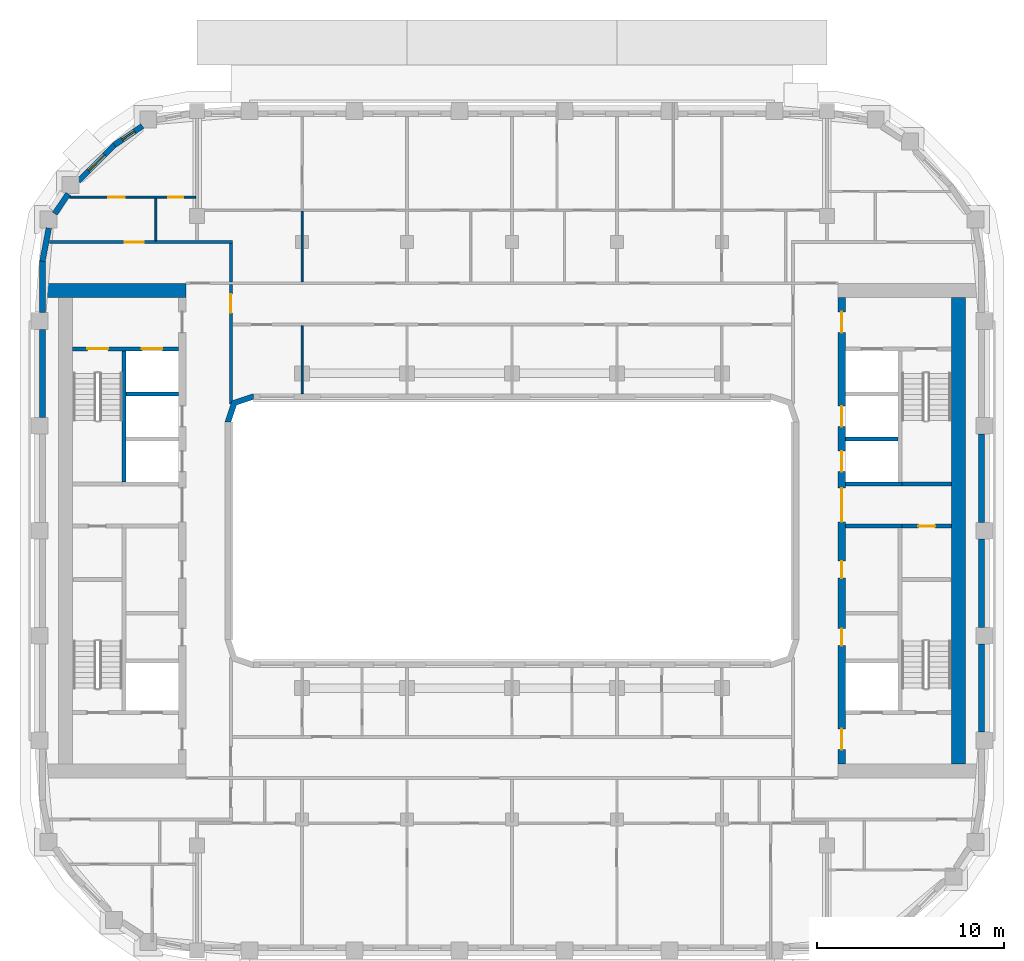
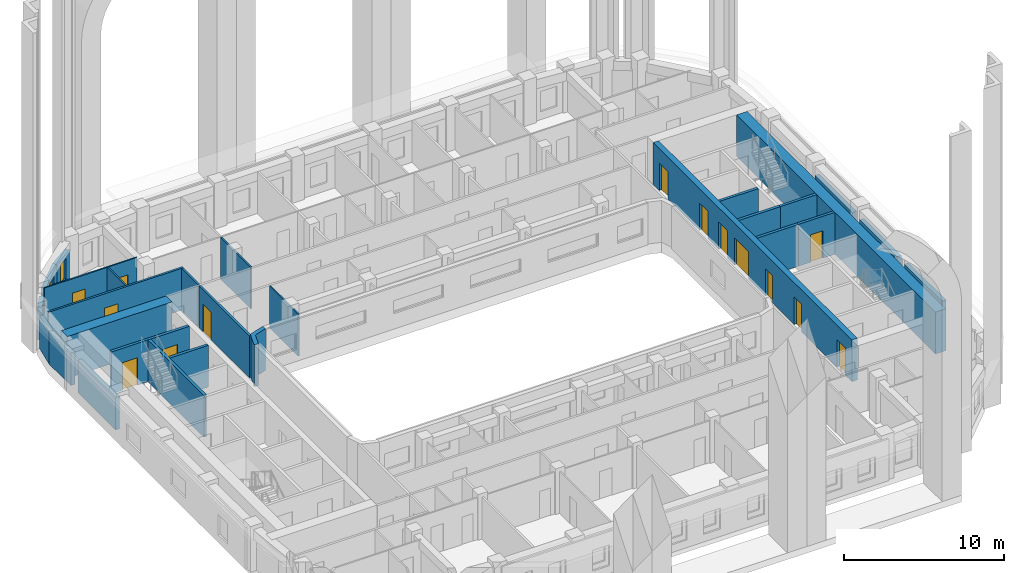
# One storey, part 6 of 20: 28 walls, 14 doors, 2 windows, 16 openings.
"""IFC4 building model written with IfcOpenShell, lengths in metres."""

from ifc_helpers import new_model, si_unit, direction, frame, frame_2d, origin, place, context, subcontext, project, spatial, polyline, rectangle, outline, extrude, material, layer, layer_set, type_object, element, fill, save


model = new_model("IFC4")

# Units and contexts
model_context = context("Model", 3, precision=1e-05, world=origin(), true_north=direction((0.0, 1.0)))
body_context = subcontext(model_context, "Body", "Model", "MODEL_VIEW")
ifc_project = project(units=[si_unit("LENGTHUNIT", "METRE"), si_unit("AREAUNIT", "SQUARE_METRE"), si_unit("VOLUMEUNIT", "CUBIC_METRE"), si_unit("PLANEANGLEUNIT", "RADIAN"), si_unit("MASSUNIT", "GRAM", prefix="KILO")], contexts=[model_context])

# Site, building, storey
site_placement = place(None, origin())
site = spatial("IfcSite", under=ifc_project, at=site_placement, CompositionType="ELEMENT")
building_placement = place(site_placement, origin())
building = spatial("IfcBuilding", under=site, at=building_placement, Name="Kiln Ring Residences", CompositionType="ELEMENT")
storey_placement = place(building_placement, frame((0.0, 0.0, 188.89990234375)))
storey = spatial("IfcBuildingStorey", under=building, at=storey_placement, Name="L48", CompositionType="ELEMENT", Elevation=188.89990234375)

# Wall, opening, door
ifc_material_1 = material(Name="Gypsum board on steel studs", Category="steel")
ifc_layer_1 = layer(ifc_material_1, 0.199951171875)
ifc_layer_set_1 = layer_set([ifc_layer_1], Name="CORE-PARTITION-200")
wall_type_1 = type_object("IfcWallType", Name="CORE-PARTITION-200", PredefinedType="PARTITIONING", material=ifc_layer_set_1)
wall_1_placement = place(storey_placement, frame((20.800048828125, 0.25, 0.0), z_axis=(0.0, 0.0, 1.0), x_axis=(1.0, 0.0, 0.0)))
wall_1 = element("IfcWall", 1, at=wall_1_placement, inside=storey, type_object=wall_type_1, Name="Core partition east L48 1", PredefinedType="PARTITIONING", context=body_context, shape_type="SweptSolid", body=[
    extrude(rectangle(XDim=2.64990234375, YDim=0.199951171875, at=frame_2d((1.324951171875, 0.0))), origin(), (0.0, 0.0, 1.0), 3.2001953125),
])
opening_1_placement = place(wall_1_placement, frame((0.875, 0.0, 0.0)))
opening_1 = element("IfcOpeningElement", 2, at=opening_1_placement, cuts=wall_1, Name="Opening L48-CE12", PredefinedType="OPENING", context=body_context, shape_type="SweptSolid", body=[
    extrude(rectangle(XDim=0.89990234375, YDim=2.10009765625, at=frame_2d((0.449951171875, 1.050048828125))), frame((0.0, 0.10986328125, 0.0), z_axis=(0.0, -1.0, 0.0), x_axis=(1.0, 0.0, 0.0)), (0.0, 0.0, 1.0), 0.219970703125),
])
ifc_material_2 = material(Name="Steel door leaf", Category="steel")
door_type_1 = type_object("IfcDoorType", Name="CORE-DOOR-ROOM", OperationType="SINGLE_SWING_LEFT", PredefinedType="DOOR", material=ifc_material_2)
door_1_placement = place(opening_1_placement, origin())
door_1 = element("IfcDoor", 3, at=door_1_placement, inside=storey, type_object=door_type_1, Name="Electrical riser room L48-CE12", OperationType="SINGLE_SWING_LEFT", OverallHeight=2.10009765625, OverallWidth=0.89990234375, PredefinedType="DOOR", context=body_context, shape_type="SweptSolid", body=[
    extrude(rectangle(XDim=0.89990234375, YDim=2.10009765625, at=frame_2d((0.449951171875, 1.050048828125))), frame((0.0, 0.02490234375, 0.0), z_axis=(0.0, -1.0, 0.0), x_axis=(1.0, 0.0, 0.0)), (0.0, 0.0, 1.0), 0.050048828125),
])
fill(opening_1, door_1)

# Walls
ifc_material_3 = material(Name="Gypsum shaft wall system")
ifc_layer_2 = layer(ifc_material_3, 0.199951171875)
ifc_layer_set_2 = layer_set([ifc_layer_2], Name="CORE-SHAFT-WALL-200")
wall_type_2 = type_object("IfcWallType", Name="CORE-SHAFT-WALL-200", PredefinedType="PARTITIONING", material=ifc_layer_set_2)
wall_2_placement = place(storey_placement, frame((-17.800048828125, 7.300048828125, 0.0), z_axis=(0.0, 0.0, 1.0), x_axis=(-1.0, 0.0, 0.0)))
element("IfcWall", 4, at=wall_2_placement, inside=storey, type_object=wall_type_2, Name="Core partition west L48 7", PredefinedType="PARTITIONING", context=body_context, shape_type="SweptSolid", body=[
    extrude(rectangle(XDim=2.800048828125, YDim=0.199951171875, at=frame_2d((1.39990234375, 0.0))), origin(), (0.0, 0.0, 1.0), 3.2001953125),
])
for number, where, z_axis, x_axis, name in (
    (5, (17.800048828125, 0.25, 0.0), (0.0, 0.0, 1.0), (1.0, 0.0, 0.0), "Core partition east L48 4"),
    (6, (17.800048828125, 2.5, 0.0), (0.0, 0.0, 1.0), (1.0, 0.0, 0.0), "Core partition east L48 5"),
):
    element("IfcWall", number, at=place(storey_placement, frame(where, z_axis=z_axis, x_axis=x_axis)), inside=storey, type_object=wall_type_2, Name=name, PredefinedType="PARTITIONING", context=body_context, shape_type="SweptSolid", body=[
        extrude(rectangle(XDim=3.0, YDim=0.199951171875, at=frame_2d((1.5, 0.0))), origin(), (0.0, 0.0, 1.0), 3.2001953125),
    ])
wall_3_placement = place(storey_placement, frame((17.800048828125, 4.89990234375, 0.0), z_axis=(0.0, 0.0, 1.0), x_axis=(1.0, 0.0, 0.0)))
element("IfcWall", 7, at=wall_3_placement, inside=storey, type_object=wall_type_2, Name="Core partition east L48 6", PredefinedType="PARTITIONING", context=body_context, shape_type="SweptSolid", body=[
    extrude(rectangle(XDim=2.800048828125, YDim=0.199951171875, at=frame_2d((1.39990234375, 0.0))), origin(), (0.0, 0.0, 1.0), 3.2001953125),
])
ifc_material_4 = material(Name="Concrete C40/50", Category="concrete")
ifc_layer_3 = layer(ifc_material_4, 0.199951171875)
ifc_layer_set_3 = layer_set([ifc_layer_3], Name="CORE-WALL-RC200")
wall_type_3 = type_object("IfcWallType", Name="CORE-WALL-RC200", PredefinedType="SHEAR", material=ifc_layer_set_3)
wall_4_placement = place(storey_placement, frame((-20.699951171875, 2.60009765625, 0.0), z_axis=(0.0, 0.0, 1.0), x_axis=(0.0, 1.0, 0.0)))
element("IfcWall", 8, at=wall_4_placement, inside=storey, type_object=wall_type_3, Name="Core wall west L48 1", PredefinedType="SHEAR", context=body_context, shape_type="SweptSolid", body=[
    extrude(rectangle(XDim=7.0, YDim=0.199951171875, at=frame_2d((3.5, 0.0))), origin(), (0.0, 0.0, 1.0), 3.2001953125),
])

# Wall, openings, doors
wall_5_placement = place(storey_placement, frame((-17.800048828125, 9.699951171875, 0.0), z_axis=(0.0, 0.0, 1.0), x_axis=(-1.0, 0.0, 0.0)))
wall_5 = element("IfcWall", 9, at=wall_5_placement, inside=storey, type_object=wall_type_3, Name="Core wall west L48 9", PredefinedType="SHEAR", context=body_context, shape_type="SweptSolid", body=[
    extrude(rectangle(XDim=5.64990234375, YDim=0.199951171875, at=frame_2d((2.824951171875, 0.0))), origin(), (0.0, 0.0, 1.0), 3.2001953125),
])
opening_2_placement = place(wall_5_placement, frame((0.85009765625, 0.0, 0.0)))
opening_2 = element("IfcOpeningElement", 10, at=opening_2_placement, cuts=wall_5, Name="Opening L48-CW06", PredefinedType="OPENING", context=body_context, shape_type="SweptSolid", body=[
    extrude(rectangle(XDim=1.10009765625, YDim=2.10009765625, at=frame_2d((0.550048828125, 1.050048828125))), frame((0.0, 0.10986328125, 0.0), z_axis=(0.0, -1.0, 0.0), x_axis=(1.0, 0.0, 0.0)), (0.0, 0.0, 1.0), 0.219970703125),
])
opening_3_placement = place(wall_5_placement, frame((3.75, 0.0, 0.0)))
opening_3 = element("IfcOpeningElement", 11, at=opening_3_placement, cuts=wall_5, Name="Opening L48-CW09", PredefinedType="OPENING", context=body_context, shape_type="SweptSolid", body=[
    extrude(rectangle(XDim=1.10009765625, YDim=2.10009765625, at=frame_2d((0.550048828125, 1.050048828125))), frame((0.0, 0.10986328125, 0.0), z_axis=(0.0, -1.0, 0.0), x_axis=(1.0, 0.0, 0.0)), (0.0, 0.0, 1.0), 0.219970703125),
])
ifc_material_5 = material(Name="Steel door leaf", Category="steel")
door_type_2 = type_object("IfcDoorType", Name="CORE-DOOR-LD", OperationType="DOUBLE_DOOR_SLIDING", PredefinedType="DOOR", material=ifc_material_5)
door_2_placement = place(opening_2_placement, origin())
door_2 = element("IfcDoor", 12, at=door_2_placement, inside=storey, type_object=door_type_2, Name="LD W-FF L48-CW06", OperationType="DOUBLE_DOOR_SLIDING", OverallHeight=2.10009765625, OverallWidth=1.10009765625, PredefinedType="DOOR", context=body_context, shape_type="SweptSolid", body=[
    extrude(rectangle(XDim=1.10009765625, YDim=2.10009765625, at=frame_2d((0.550048828125, 1.050048828125))), frame((0.0, 0.02490234375, 0.0), z_axis=(0.0, -1.0, 0.0), x_axis=(1.0, 0.0, 0.0)), (0.0, 0.0, 1.0), 0.050048828125),
])
fill(opening_2, door_2)
ifc_material_6 = material(Name="Steel door leaf", Category="steel")
door_type_3 = type_object("IfcDoorType", Name="CORE-DOOR-STAIR", OperationType="SINGLE_SWING_LEFT", PredefinedType="DOOR", material=ifc_material_6)
door_3_placement = place(opening_3_placement, origin())
door_3 = element("IfcDoor", 13, at=door_3_placement, inside=storey, type_object=door_type_3, Name="Stair W-STN L48-CW09", OperationType="SINGLE_SWING_LEFT", OverallHeight=2.10009765625, OverallWidth=1.10009765625, PredefinedType="DOOR", context=body_context, shape_type="SweptSolid", body=[
    extrude(rectangle(XDim=1.10009765625, YDim=2.10009765625, at=frame_2d((0.550048828125, 1.050048828125))), frame((0.0, 0.02490234375, 0.0), z_axis=(0.0, -1.0, 0.0), x_axis=(1.0, 0.0, 0.0)), (0.0, 0.0, 1.0), 0.050048828125),
])
fill(opening_3, door_3)

# Wall
wall_6_placement = place(storey_placement, frame((20.800048828125, 2.5, 0.0), z_axis=(0.0, 0.0, 1.0), x_axis=(1.0, 0.0, 0.0)))
element("IfcWall", 14, at=wall_6_placement, inside=storey, type_object=wall_type_3, Name="Core wall east L48 3", PredefinedType="SHEAR", context=body_context, shape_type="SweptSolid", body=[
    extrude(rectangle(XDim=2.64990234375, YDim=0.199951171875, at=frame_2d((1.324951171875, 0.0))), origin(), (0.0, 0.0, 1.0), 3.2001953125),
])

# Wall, openings, doors
ifc_material_7 = material(Name="Concrete C60/75", Category="concrete")
ifc_layer_4 = layer(ifc_material_7, 0.39990234375)
ifc_layer_set_4 = layer_set([ifc_layer_4], Name="CORE-WALL-RC400")
wall_type_4 = type_object("IfcWallType", Name="CORE-WALL-RC400", PredefinedType="SHEAR", material=ifc_layer_set_4)
wall_7_placement = place(storey_placement, frame((17.60009765625, -12.449951171875, 0.0), z_axis=(0.0, 0.0, 1.0), x_axis=(0.0, 1.0, 0.0)))
wall_7 = element("IfcWall", 15, at=wall_7_placement, inside=storey, type_object=wall_type_4, Name="Core wall east L48 6", PredefinedType="SHEAR", context=body_context, shape_type="SweptSolid", body=[
    extrude(rectangle(XDim=24.89990234375, YDim=0.39990234375, at=frame_2d((12.449951171875, 0.0))), origin(), (0.0, 0.0, 1.0), 3.2001953125),
])
opening_4_placement = place(wall_7_placement, frame((6.324951171875, 0.0, 0.0)))
opening_4 = element("IfcOpeningElement", 16, at=opening_4_placement, cuts=wall_7, Name="Opening L48-CE02", PredefinedType="OPENING", context=body_context, shape_type="SweptSolid", body=[
    extrude(rectangle(XDim=0.89990234375, YDim=2.10009765625, at=frame_2d((0.449951171875, 1.050048828125))), frame((0.0, 0.2099609375, 0.0), z_axis=(0.0, -1.0, 0.0), x_axis=(1.0, 0.0, 0.0)), (0.0, 0.0, 1.0), 0.419921875),
])
opening_5_placement = place(wall_7_placement, frame((9.925048828125, 0.0, 0.0)))
opening_5 = element("IfcOpeningElement", 17, at=opening_5_placement, cuts=wall_7, Name="Opening L48-CE03", PredefinedType="OPENING", context=body_context, shape_type="SweptSolid", body=[
    extrude(rectangle(XDim=0.89990234375, YDim=2.10009765625, at=frame_2d((0.449951171875, 1.050048828125))), frame((0.0, 0.2099609375, 0.0), z_axis=(0.0, -1.0, 0.0), x_axis=(1.0, 0.0, 0.0)), (0.0, 0.0, 1.0), 0.419921875),
])
opening_6_placement = place(wall_7_placement, frame((15.60009765625, 0.0, 0.0)))
opening_6 = element("IfcOpeningElement", 18, at=opening_6_placement, cuts=wall_7, Name="Opening L48-CE04", PredefinedType="OPENING", context=body_context, shape_type="SweptSolid", body=[
    extrude(rectangle(XDim=1.10009765625, YDim=2.10009765625, at=frame_2d((0.550048828125, 1.050048828125))), frame((0.0, 0.2099609375, 0.0), z_axis=(0.0, -1.0, 0.0), x_axis=(1.0, 0.0, 0.0)), (0.0, 0.0, 1.0), 0.419921875),
])
opening_7_placement = place(wall_7_placement, frame((18.0, 0.0, 0.0)))
opening_7 = element("IfcOpeningElement", 19, at=opening_7_placement, cuts=wall_7, Name="Opening L48-CE05", PredefinedType="OPENING", context=body_context, shape_type="SweptSolid", body=[
    extrude(rectangle(XDim=1.10009765625, YDim=2.10009765625, at=frame_2d((0.550048828125, 1.050048828125))), frame((0.0, 0.2099609375, 0.0), z_axis=(0.0, -1.0, 0.0), x_axis=(1.0, 0.0, 0.0)), (0.0, 0.0, 1.0), 0.419921875),
])
opening_8_placement = place(wall_7_placement, frame((23.02490234375, 0.0, 0.0)))
opening_8 = element("IfcOpeningElement", 20, at=opening_8_placement, cuts=wall_7, Name="Opening L48-CE07", PredefinedType="OPENING", context=body_context, shape_type="SweptSolid", body=[
    extrude(rectangle(XDim=1.10009765625, YDim=2.10009765625, at=frame_2d((0.550048828125, 1.050048828125))), frame((0.0, 0.2099609375, 0.0), z_axis=(0.0, -1.0, 0.0), x_axis=(1.0, 0.0, 0.0)), (0.0, 0.0, 1.0), 0.419921875),
])
opening_9_placement = place(wall_7_placement, frame((0.77490234375, 0.0, 0.0)))
opening_9 = element("IfcOpeningElement", 21, at=opening_9_placement, cuts=wall_7, Name="Opening L48-CE08", PredefinedType="OPENING", context=body_context, shape_type="SweptSolid", body=[
    extrude(rectangle(XDim=1.10009765625, YDim=2.10009765625, at=frame_2d((0.550048828125, 1.050048828125))), frame((0.0, 0.2099609375, 0.0), z_axis=(0.0, -1.0, 0.0), x_axis=(1.0, 0.0, 0.0)), (0.0, 0.0, 1.0), 0.419921875),
])
opening_10_placement = place(wall_7_placement, frame((12.925048828125, 0.0, 0.0)))
opening_10 = element("IfcOpeningElement", 22, at=opening_10_placement, cuts=wall_7, Name="Opening L48-CE11", PredefinedType="OPENING", context=body_context, shape_type="SweptSolid", body=[
    extrude(rectangle(XDim=1.800048828125, YDim=2.10009765625, at=frame_2d((0.89990234375, 1.050048828125))), frame((0.0, 0.2099609375, 0.0), z_axis=(0.0, -1.0, 0.0), x_axis=(1.0, 0.0, 0.0)), (0.0, 0.0, 1.0), 0.419921875),
])
door_4_placement = place(opening_6_placement, origin())
door_4 = element("IfcDoor", 23, at=door_4_placement, inside=storey, type_object=door_type_2, Name="LD E-M1 L48-CE04", OperationType="DOUBLE_DOOR_SLIDING", OverallHeight=2.10009765625, OverallWidth=1.10009765625, PredefinedType="DOOR", context=body_context, shape_type="SweptSolid", body=[
    extrude(rectangle(XDim=1.10009765625, YDim=2.10009765625, at=frame_2d((0.550048828125, 1.050048828125))), frame((0.0, 0.02490234375, 0.0), z_axis=(0.0, -1.0, 0.0), x_axis=(1.0, 0.0, 0.0)), (0.0, 0.0, 1.0), 0.050048828125),
])
fill(opening_6, door_4)
door_5_placement = place(opening_7_placement, origin())
door_5 = element("IfcDoor", 24, at=door_5_placement, inside=storey, type_object=door_type_2, Name="LD E-M2 L48-CE05", OperationType="DOUBLE_DOOR_SLIDING", OverallHeight=2.10009765625, OverallWidth=1.10009765625, PredefinedType="DOOR", context=body_context, shape_type="SweptSolid", body=[
    extrude(rectangle(XDim=1.10009765625, YDim=2.10009765625, at=frame_2d((0.550048828125, 1.050048828125))), frame((0.0, 0.02490234375, 0.0), z_axis=(0.0, -1.0, 0.0), x_axis=(1.0, 0.0, 0.0)), (0.0, 0.0, 1.0), 0.050048828125),
])
fill(opening_7, door_5)
ifc_material_8 = material(Name="Steel door leaf", Category="steel")
door_type_4 = type_object("IfcDoorType", Name="CORE-DOOR-LOBBY", OperationType="SINGLE_SWING_LEFT", PredefinedType="DOOR", material=ifc_material_8)
door_6_placement = place(opening_8_placement, origin())
door_6 = element("IfcDoor", 25, at=door_6_placement, inside=storey, type_object=door_type_4, Name="FFL L48-CE07", OperationType="SINGLE_SWING_LEFT", OverallHeight=2.10009765625, OverallWidth=1.10009765625, PredefinedType="DOOR", context=body_context, shape_type="SweptSolid", body=[
    extrude(rectangle(XDim=1.10009765625, YDim=2.10009765625, at=frame_2d((0.550048828125, 1.050048828125))), frame((0.0, 0.02490234375, 0.0), z_axis=(0.0, -1.0, 0.0), x_axis=(1.0, 0.0, 0.0)), (0.0, 0.0, 1.0), 0.050048828125),
])
fill(opening_8, door_6)
door_7_placement = place(opening_9_placement, origin())
door_7 = element("IfcDoor", 26, at=door_7_placement, inside=storey, type_object=door_type_4, Name="SVL L48-CE08", OperationType="SINGLE_SWING_RIGHT", OverallHeight=2.10009765625, OverallWidth=1.10009765625, PredefinedType="DOOR", context=body_context, shape_type="SweptSolid", body=[
    extrude(rectangle(XDim=1.10009765625, YDim=2.10009765625, at=frame_2d((0.550048828125, 1.050048828125))), frame((0.0, 0.02490234375, 0.0), z_axis=(0.0, -1.0, 0.0), x_axis=(1.0, 0.0, 0.0)), (0.0, 0.0, 1.0), 0.050048828125),
])
fill(opening_9, door_7)
ifc_material_9 = material(Name="Steel door leaf", Category="steel")
door_type_5 = type_object("IfcDoorType", Name="CORE-DOOR-PASS", OperationType="DOUBLE_DOOR_SINGLE_SWING", PredefinedType="DOOR", material=ifc_material_9)
door_8_placement = place(opening_10_placement, origin())
door_8 = element("IfcDoor", 27, at=door_8_placement, inside=storey, type_object=door_type_5, Name="Core passage L48-CE11", OperationType="DOUBLE_DOOR_SINGLE_SWING", OverallHeight=2.10009765625, OverallWidth=1.800048828125, PredefinedType="DOOR", context=body_context, shape_type="SweptSolid", body=[
    extrude(rectangle(XDim=1.800048828125, YDim=2.10009765625, at=frame_2d((0.89990234375, 1.050048828125))), frame((0.0, 0.02490234375, 0.0), z_axis=(0.0, -1.0, 0.0), x_axis=(1.0, 0.0, 0.0)), (0.0, 0.0, 1.0), 0.050048828125),
])
fill(opening_10, door_8)
door_9_placement = place(opening_4_placement, origin())
door_9 = element("IfcDoor", 28, at=door_9_placement, inside=storey, type_object=door_type_1, Name="Goods store L48-CE02", OperationType="SINGLE_SWING_LEFT", OverallHeight=2.10009765625, OverallWidth=0.89990234375, PredefinedType="DOOR", context=body_context, shape_type="SweptSolid", body=[
    extrude(rectangle(XDim=0.89990234375, YDim=2.10009765625, at=frame_2d((0.449951171875, 1.050048828125))), frame((0.0, 0.02490234375, 0.0), z_axis=(0.0, -1.0, 0.0), x_axis=(1.0, 0.0, 0.0)), (0.0, 0.0, 1.0), 0.050048828125),
])
fill(opening_4, door_9)
door_10_placement = place(opening_5_placement, origin())
door_10 = element("IfcDoor", 29, at=door_10_placement, inside=storey, type_object=door_type_1, Name="Storage room L48-CE03", OperationType="SINGLE_SWING_RIGHT", OverallHeight=2.10009765625, OverallWidth=0.89990234375, PredefinedType="DOOR", context=body_context, shape_type="SweptSolid", body=[
    extrude(rectangle(XDim=0.89990234375, YDim=2.10009765625, at=frame_2d((0.449951171875, 1.050048828125))), frame((0.0, 0.02490234375, 0.0), z_axis=(0.0, -1.0, 0.0), x_axis=(1.0, 0.0, 0.0)), (0.0, 0.0, 1.0), 0.050048828125),
])
fill(opening_5, door_10)

# Walls
ifc_material_10 = material(Name="Concrete C60/75", Category="concrete")
ifc_layer_5 = layer(ifc_material_10, 0.75)
ifc_layer_set_5 = layer_set([ifc_layer_5], Name="CORE-WALL-RC750")
wall_type_5 = type_object("IfcWallType", Name="CORE-WALL-RC750", PredefinedType="SHEAR", material=ifc_layer_set_5)
wall_8_placement = place(storey_placement, frame((-17.39990234375, 12.824951171875, 0.0), z_axis=(0.0, 0.0, 1.0), x_axis=(-1.0, 0.0, 0.0)))
element("IfcWall", 30, at=wall_8_placement, inside=storey, type_object=wall_type_5, Name="Core wall west L48 4", PredefinedType="SHEAR", context=body_context, shape_type="SweptSolid", body=[
    extrude(rectangle(XDim=7.60009765625, YDim=0.75, at=frame_2d((3.800048828125, 0.0))), origin(), (0.0, 0.0, 1.0), 3.2001953125),
])
wall_9_placement = place(storey_placement, frame((23.824951171875, -12.449951171875, 0.0), z_axis=(0.0, 0.0, 1.0), x_axis=(0.0, 1.0, 0.0)))
element("IfcWall", 31, at=wall_9_placement, inside=storey, type_object=wall_type_5, Name="Core wall east L48 7", PredefinedType="SHEAR", context=body_context, shape_type="SweptSolid", body=[
    extrude(rectangle(XDim=24.89990234375, YDim=0.75, at=frame_2d((12.449951171875, 0.0))), origin(), (0.0, 0.0, 1.0), 3.2001953125),
])
ifc_material_11 = material(Name="Brick masonry, dark clay brick", Category="masonry")
ifc_layer_6 = layer(ifc_material_11, 0.300048828125)
ifc_layer_set_6 = layer_set([ifc_layer_6], Name="EW-300 BRICK WALL")
wall_type_6 = type_object("IfcWallType", Name="EW-300 BRICK WALL", PredefinedType="SOLIDWALL", material=ifc_layer_set_6)
for number, where, z_axis, x_axis, name in (
    (32, (25.050048828125, -10.75, 0.0), (0.0, 0.0, 1.0), (0.0, 1.0, 0.0), "Facade wall L48 17"),
    (33, (25.050048828125, -5.14990234375, 0.0), (0.0, 0.0, 1.0), (0.0, 1.0, 0.0), "Facade wall L48 18"),
    (34, (25.050048828125, 0.449951171875, 0.0), (0.0, 0.0, 1.0), (0.0, 1.0, 0.0), "Facade wall L48 19"),
):
    element("IfcWall", number, at=place(storey_placement, frame(where, z_axis=z_axis, x_axis=x_axis)), inside=storey, type_object=wall_type_6, Name=name, PredefinedType="SOLIDWALL", context=body_context, shape_type="SweptSolid", body=[
        extrude(rectangle(XDim=4.699951171875, YDim=0.300048828125, at=frame_2d((2.35009765625, 0.0))), origin(), (0.0, 0.0, 1.0), 2.5),
    ])

# Wall, opening, window
wall_10_placement = place(storey_placement, frame((-19.718994140625, 21.593994140625, 0.0), z_axis=(0.0, 0.0, 1.0), x_axis=(-0.827067282455, -0.562102935673, 0.0)))
wall_10 = element("IfcWall", 35, at=wall_10_placement, inside=storey, type_object=wall_type_6, Name="Facade wall L48 35", PredefinedType="SOLIDWALL", context=body_context, shape_type="SweptSolid", body=[
    extrude(rectangle(XDim=1.805908203125, YDim=0.300048828125, at=frame_2d((0.90283203125, 0.0))), origin(), (0.0, 0.0, 1.0), 2.5),
])
opening_11_placement = place(wall_10_placement, frame((0.5029296875, 0.0, 0.60009765625)))
opening_11 = element("IfcOpeningElement", 36, at=opening_11_placement, cuts=wall_10, Name="Opening W5", PredefinedType="OPENING", context=body_context, shape_type="SweptSolid", body=[
    extrude(rectangle(XDim=0.800048828125, YDim=1.550048828125, at=frame_2d((0.39990234375, 0.77490234375))), frame((0.0, 0.159912109375, 0.0), z_axis=(0.0, -1.0, 0.0), x_axis=(1.0, 0.0, 0.0)), (0.0, 0.0, 1.0), 0.320068359375),
])
ifc_material_12 = material(Name="Aluminium frame with double glazing", Category="aluminium")
window_type_1 = type_object("IfcWindowType", Name="WINDOW 800 x 1550", PartitioningType="SINGLE_PANEL", PredefinedType="WINDOW", material=ifc_material_12)
window_1_placement = place(opening_11_placement, origin())
window_1 = element("IfcWindow", 37, at=window_1_placement, inside=storey, type_object=window_type_1, Name="Window L48 33", OverallHeight=1.550048828125, OverallWidth=0.800048828125, PartitioningType="SINGLE_PANEL", PredefinedType="WINDOW", context=body_context, shape_type="SweptSolid", body=[
    extrude(rectangle(XDim=0.800048828125, YDim=1.550048828125, at=frame_2d((0.39990234375, 0.77490234375))), frame((0.0, 0.030029296875, 0.0), z_axis=(0.0, -1.0, 0.0), x_axis=(1.0, 0.0, 0.0)), (0.0, 0.0, 1.0), 0.06005859375),
])
fill(opening_11, window_1)

wall_11_placement = place(storey_placement, frame((-21.19091796875, 20.596923828125, 0.0), z_axis=(0.0, 0.0, 1.0), x_axis=(-0.707106781187, -0.707106781187, 0.0)))
wall_11 = element("IfcWall", 38, at=wall_11_placement, inside=storey, type_object=wall_type_6, Name="Facade wall L48 36", PredefinedType="SOLIDWALL", context=body_context, shape_type="SweptSolid", body=[
    extrude(rectangle(XDim=2.75, YDim=0.300048828125, at=frame_2d((1.375, 0.0))), origin(), (0.0, 0.0, 1.0), 2.5),
])
opening_12_placement = place(wall_11_placement, frame((0.77490234375, 0.0, 0.60009765625)))
opening_12 = element("IfcOpeningElement", 39, at=opening_12_placement, cuts=wall_11, Name="Opening W1", PredefinedType="OPENING", context=body_context, shape_type="SweptSolid", body=[
    extrude(rectangle(XDim=1.199951171875, YDim=1.550048828125, at=frame_2d((0.60009765625, 0.77490234375))), frame((0.0, 0.159912109375, 0.0), z_axis=(0.0, -1.0, 0.0), x_axis=(1.0, 0.0, 0.0)), (0.0, 0.0, 1.0), 0.320068359375),
])
ifc_material_13 = material(Name="Aluminium frame with double glazing", Category="aluminium")
window_type_2 = type_object("IfcWindowType", Name="WINDOW 1200 x 1550", PartitioningType="SINGLE_PANEL", PredefinedType="WINDOW", material=ifc_material_13)
window_2_placement = place(opening_12_placement, origin())
window_2 = element("IfcWindow", 40, at=window_2_placement, inside=storey, type_object=window_type_2, Name="Window L48 34", OverallHeight=1.550048828125, OverallWidth=1.199951171875, PartitioningType="SINGLE_PANEL", PredefinedType="WINDOW", context=body_context, shape_type="SweptSolid", body=[
    extrude(rectangle(XDim=1.199951171875, YDim=1.550048828125, at=frame_2d((0.60009765625, 0.77490234375))), frame((0.0, 0.030029296875, 0.0), z_axis=(0.0, -1.0, 0.0), x_axis=(1.0, 0.0, 0.0)), (0.0, 0.0, 1.0), 0.06005859375),
])
fill(opening_12, window_2)

# Walls
wall_12_placement = place(storey_placement, frame((-23.67626953125, 17.975341796875, 0.0), z_axis=(0.0, 0.0, 1.0), x_axis=(-0.56200149592, -0.827136215253, 0.0)))
element("IfcWall", 41, at=wall_12_placement, inside=storey, type_object=wall_type_6, Name="Facade wall L48 37", PredefinedType="SOLIDWALL", context=body_context, shape_type="SweptSolid", body=[
    extrude(rectangle(XDim=1.277099609375, YDim=0.300048828125, at=frame_2d((0.638671875, 0.0))), origin(), (0.0, 0.0, 1.0), 2.5),
])
wall_13_placement = place(storey_placement, frame((-24.71435546875, 16.14599609375, 0.0), z_axis=(0.0, 0.0, 1.0), x_axis=(-0.187348135549, -0.982293579388, 0.0)))
element("IfcWall", 42, at=wall_13_placement, inside=storey, type_object=wall_type_6, Name="Facade wall L48 38", PredefinedType="SOLIDWALL", context=body_context, shape_type="SweptSolid", body=[
    extrude(rectangle(XDim=1.80615234375, YDim=0.300048828125, at=frame_2d((0.903076171875, 0.0))), origin(), (0.0, 0.0, 1.0), 2.5),
])
wall_14_placement = place(storey_placement, frame((-25.050048828125, 14.39990234375, 0.0), z_axis=(0.0, 0.0, 1.0), x_axis=(0.0, -1.0, 0.0)))
element("IfcWall", 43, at=wall_14_placement, inside=storey, type_object=wall_type_6, Name="Facade wall L48 39", PredefinedType="SOLIDWALL", context=body_context, shape_type="SweptSolid", body=[
    extrude(rectangle(XDim=2.75, YDim=0.300048828125, at=frame_2d((1.375, 0.0))), origin(), (0.0, 0.0, 1.0), 2.5),
])
wall_15_placement = place(storey_placement, frame((-25.050048828125, 10.75, 0.0), z_axis=(0.0, 0.0, 1.0), x_axis=(0.0, -1.0, 0.0)))
element("IfcWall", 44, at=wall_15_placement, inside=storey, type_object=wall_type_6, Name="Facade wall L48 40", PredefinedType="SOLIDWALL", context=body_context, shape_type="SweptSolid", body=[
    extrude(rectangle(XDim=4.699951171875, YDim=0.300048828125, at=frame_2d((2.35009765625, 0.0))), origin(), (0.0, 0.0, 1.0), 2.5),
])
wall_16_placement = place(storey_placement, origin())
element("IfcWall", 45, at=wall_16_placement, inside=storey, type_object=wall_type_6, Name="Corner wall L48 1", PredefinedType="SOLIDWALL", context=body_context, shape_type="SweptSolid", body=[
    extrude(outline(polyline([(-13.8486328125, 7.300048828125), (-14.937255859375, 6.937255859375), (-15.300048828125, 5.8486328125), (-15.300048828125, 5.800048828125), (-15.0, 5.800048828125), (-14.699951171875, 6.699951171875), (-13.800048828125, 7.0), (-13.800048828125, 7.300048828125), (-13.8486328125, 7.300048828125)])), origin(), (0.0, 0.0, 1.0), 3.2001953125),
])

# Wall, openings, doors
ifc_material_14 = material(Name="Gypsum board on steel studs", Category="steel")
ifc_layer_7 = layer(ifc_material_14, 0.10009765625)
ifc_layer_set_7 = layer_set([ifc_layer_7], Name="PARTITION-100")
wall_type_7 = type_object("IfcWallType", Name="PARTITION-100", PredefinedType="PARTITIONING", material=ifc_layer_set_7)
wall_17_placement = place(storey_placement, frame((-23.593994140625, 17.800048828125, 0.0), z_axis=(0.0, 0.0, 1.0), x_axis=(1.0, 0.0, 0.0)))
wall_17 = element("IfcWall", 46, at=wall_17_placement, inside=storey, type_object=wall_type_7, Name="Partition 012", PredefinedType="PARTITIONING", context=body_context, shape_type="SweptSolid", body=[
    extrude(rectangle(XDim=6.718994140625, YDim=0.10009765625, at=frame_2d((3.359375, 0.0))), origin(), (0.0, 0.0, 1.0), 3.2001953125),
])
opening_13_placement = place(wall_17_placement, frame((5.243896484375, 0.0, 0.0)))
opening_13 = element("IfcOpeningElement", 47, at=opening_13_placement, cuts=wall_17, Name="Opening L48-D036", PredefinedType="OPENING", context=body_context, shape_type="SweptSolid", body=[
    extrude(rectangle(XDim=0.800048828125, YDim=2.10009765625, at=frame_2d((0.39990234375, 1.050048828125))), frame((0.0, 0.06005859375, 0.0), z_axis=(0.0, -1.0, 0.0), x_axis=(1.0, 0.0, 0.0)), (0.0, 0.0, 1.0), 0.1201171875),
])
opening_14_placement = place(wall_17_placement, frame((2.0439453125, 0.0, 0.0)))
opening_14 = element("IfcOpeningElement", 48, at=opening_14_placement, cuts=wall_17, Name="Opening L48-D037", PredefinedType="OPENING", context=body_context, shape_type="SweptSolid", body=[
    extrude(rectangle(XDim=0.89990234375, YDim=2.10009765625, at=frame_2d((0.449951171875, 1.050048828125))), frame((0.0, 0.06005859375, 0.0), z_axis=(0.0, -1.0, 0.0), x_axis=(1.0, 0.0, 0.0)), (0.0, 0.0, 1.0), 0.1201171875),
])
ifc_material_15 = material(Name="Timber door leaf", Category="wood")
door_type_6 = type_object("IfcDoorType", Name="FLAT-DOOR-800-PL", OperationType="SINGLE_SWING_LEFT", PredefinedType="DOOR", material=ifc_material_15)
door_11_placement = place(opening_13_placement, origin())
door_11 = element("IfcDoor", 49, at=door_11_placement, inside=storey, type_object=door_type_6, Name="Door L48-D036", OperationType="SINGLE_SWING_RIGHT", OverallHeight=2.10009765625, OverallWidth=0.800048828125, PredefinedType="DOOR", context=body_context, shape_type="SweptSolid", body=[
    extrude(rectangle(XDim=0.800048828125, YDim=2.10009765625, at=frame_2d((0.39990234375, 1.050048828125))), frame((0.0, 0.02490234375, 0.0), z_axis=(0.0, -1.0, 0.0), x_axis=(1.0, 0.0, 0.0)), (0.0, 0.0, 1.0), 0.050048828125),
])
fill(opening_13, door_11)
ifc_material_16 = material(Name="Timber door leaf", Category="wood")
door_type_7 = type_object("IfcDoorType", Name="FLAT-DOOR-900-PL", OperationType="SINGLE_SWING_LEFT", PredefinedType="DOOR", material=ifc_material_16)
door_12_placement = place(opening_14_placement, origin())
door_12 = element("IfcDoor", 50, at=door_12_placement, inside=storey, type_object=door_type_7, Name="Door L48-D037", OperationType="SINGLE_SWING_LEFT", OverallHeight=2.10009765625, OverallWidth=0.89990234375, PredefinedType="DOOR", context=body_context, shape_type="SweptSolid", body=[
    extrude(rectangle(XDim=0.89990234375, YDim=2.10009765625, at=frame_2d((0.449951171875, 1.050048828125))), frame((0.0, 0.02490234375, 0.0), z_axis=(0.0, -1.0, 0.0), x_axis=(1.0, 0.0, 0.0)), (0.0, 0.0, 1.0), 0.050048828125),
])
fill(opening_14, door_12)

# Walls
wall_18_placement = place(storey_placement, frame((-19.0, 15.47509765625, 0.0), z_axis=(0.0, 0.0, 1.0), x_axis=(0.0, 1.0, 0.0)))
element("IfcWall", 51, at=wall_18_placement, inside=storey, type_object=wall_type_7, Name="Partition 015", PredefinedType="PARTITIONING", context=body_context, shape_type="SweptSolid", body=[
    extrude(rectangle(XDim=2.27490234375, YDim=0.10009765625, at=frame_2d((1.137451171875, 0.0))), origin(), (0.0, 0.0, 1.0), 3.2001953125),
])
wall_19_placement = place(storey_placement, frame((-11.199951171875, 7.320068359375, 0.0), z_axis=(0.0, 0.0, 1.0), x_axis=(0.0, 1.0, 0.0)))
element("IfcWall", 52, at=wall_19_placement, inside=storey, type_object=wall_type_7, Name="Partition 025", PredefinedType="PARTITIONING", context=body_context, shape_type="SweptSolid", body=[
    extrude(rectangle(XDim=3.60498046875, YDim=0.10009765625, at=frame_2d((1.802490234375, 0.0))), origin(), (0.0, 0.0, 1.0), 3.2001953125),
])
wall_20_placement = place(storey_placement, frame((-11.199951171875, 13.27490234375, 0.0), z_axis=(0.0, 0.0, 1.0), x_axis=(0.0, 1.0, 0.0)))
element("IfcWall", 53, at=wall_20_placement, inside=storey, type_object=wall_type_7, Name="Partition 026", PredefinedType="PARTITIONING", context=body_context, shape_type="SweptSolid", body=[
    extrude(rectangle(XDim=3.775146484375, YDim=0.10009765625, at=frame_2d((1.8876953125, 0.0))), origin(), (0.0, 0.0, 1.0), 3.2001953125),
])

# Wall, opening, door
ifc_material_17 = material(Name="Brick masonry partition", Category="masonry")
ifc_layer_8 = layer(ifc_material_17, 0.14990234375)
ifc_layer_set_8 = layer_set([ifc_layer_8], Name="PARTITION-150-ei60")
wall_type_8 = type_object("IfcWallType", Name="PARTITION-150-ei60", PredefinedType="PARTITIONING", material=ifc_layer_set_8)
wall_21_placement = place(storey_placement, frame((-24.683837890625, 15.39990234375, 0.0), z_axis=(0.0, 0.0, 1.0), x_axis=(1.0, 0.0, 0.0)))
wall_21 = element("IfcWall", 54, at=wall_21_placement, inside=storey, type_object=wall_type_8, Name="Partition 009", PredefinedType="PARTITIONING", context=body_context, shape_type="SweptSolid", body=[
    extrude(rectangle(XDim=9.7587890625, YDim=0.14990234375, at=frame_2d((4.87939453125, 0.0))), origin(), (0.0, 0.0, 1.0), 3.2001953125),
])
opening_15_placement = place(wall_21_placement, frame((4.03369140625, 0.0, 0.0)))
opening_15 = element("IfcOpeningElement", 55, at=opening_15_placement, cuts=wall_21, Name="Opening L48-D035", PredefinedType="OPENING", context=body_context, shape_type="SweptSolid", body=[
    extrude(rectangle(XDim=1.0, YDim=2.10009765625, at=frame_2d((0.5, 1.050048828125))), frame((0.0, 0.0849609375, 0.0), z_axis=(0.0, -1.0, 0.0), x_axis=(1.0, 0.0, 0.0)), (0.0, 0.0, 1.0), 0.169921875),
])
ifc_material_18 = material(Name="Steel faced fire door leaf", Category="steel")
door_type_8 = type_object("IfcDoorType", Name="FLAT-DOOR-1000-FR", OperationType="SINGLE_SWING_LEFT", PredefinedType="DOOR", material=ifc_material_18)
door_13_placement = place(opening_15_placement, origin())
door_13 = element("IfcDoor", 56, at=door_13_placement, inside=storey, type_object=door_type_8, Name="Door L48-D035", OperationType="SINGLE_SWING_LEFT", OverallHeight=2.10009765625, OverallWidth=1.0, PredefinedType="DOOR", context=body_context, shape_type="SweptSolid", body=[
    extrude(rectangle(XDim=1.0, YDim=2.10009765625, at=frame_2d((0.5, 1.050048828125))), frame((0.0, 0.02490234375, 0.0), z_axis=(0.0, -1.0, 0.0), x_axis=(1.0, 0.0, 0.0)), (0.0, 0.0, 1.0), 0.050048828125),
])
fill(opening_15, door_13)

wall_22_placement = place(storey_placement, frame((-15.0, 6.768798828125, 0.0), z_axis=(0.0, 0.0, 1.0), x_axis=(0.0, 1.0, 0.0)))
wall_22 = element("IfcWall", 57, at=wall_22_placement, inside=storey, type_object=wall_type_8, Name="Partition 021", PredefinedType="PARTITIONING", context=body_context, shape_type="SweptSolid", body=[
    extrude(rectangle(XDim=6.356201171875, YDim=0.14990234375, at=frame_2d((3.17822265625, 0.0))), origin(), (0.0, 0.0, 1.0), 3.2001953125),
])
opening_16_placement = place(wall_22_placement, frame((4.860107421875, 0.0, 0.0)))
opening_16 = element("IfcOpeningElement", 58, at=opening_16_placement, cuts=wall_22, Name="Opening L48-D001", PredefinedType="OPENING", context=body_context, shape_type="SweptSolid", body=[
    extrude(rectangle(XDim=1.0, YDim=2.10009765625, at=frame_2d((0.5, 1.050048828125))), frame((0.0, 0.0849609375, 0.0), z_axis=(0.0, -1.0, 0.0), x_axis=(1.0, 0.0, 0.0)), (0.0, 0.0, 1.0), 0.169921875),
])
door_14_placement = place(opening_16_placement, origin())
door_14 = element("IfcDoor", 59, at=door_14_placement, inside=storey, type_object=door_type_8, Name="Door L48-D001", OperationType="SINGLE_SWING_RIGHT", OverallHeight=2.10009765625, OverallWidth=1.0, PredefinedType="DOOR", context=body_context, shape_type="SweptSolid", body=[
    extrude(rectangle(XDim=1.0, YDim=2.10009765625, at=frame_2d((0.5, 1.050048828125))), frame((0.0, 0.02490234375, 0.0), z_axis=(0.0, -1.0, 0.0), x_axis=(1.0, 0.0, 0.0)), (0.0, 0.0, 1.0), 0.050048828125),
])
fill(opening_16, door_14)

# Wall
wall_23_placement = place(storey_placement, frame((-15.0, 13.27490234375, 0.0), z_axis=(0.0, 0.0, 1.0), x_axis=(0.0, 1.0, 0.0)))
element("IfcWall", 60, at=wall_23_placement, inside=storey, type_object=wall_type_8, Name="Partition 022", PredefinedType="PARTITIONING", context=body_context, shape_type="SweptSolid", body=[
    extrude(rectangle(XDim=2.050048828125, YDim=0.14990234375, at=frame_2d((1.02490234375, 0.0))), origin(), (0.0, 0.0, 1.0), 3.2001953125),
])

save(model, "model.ifc")
